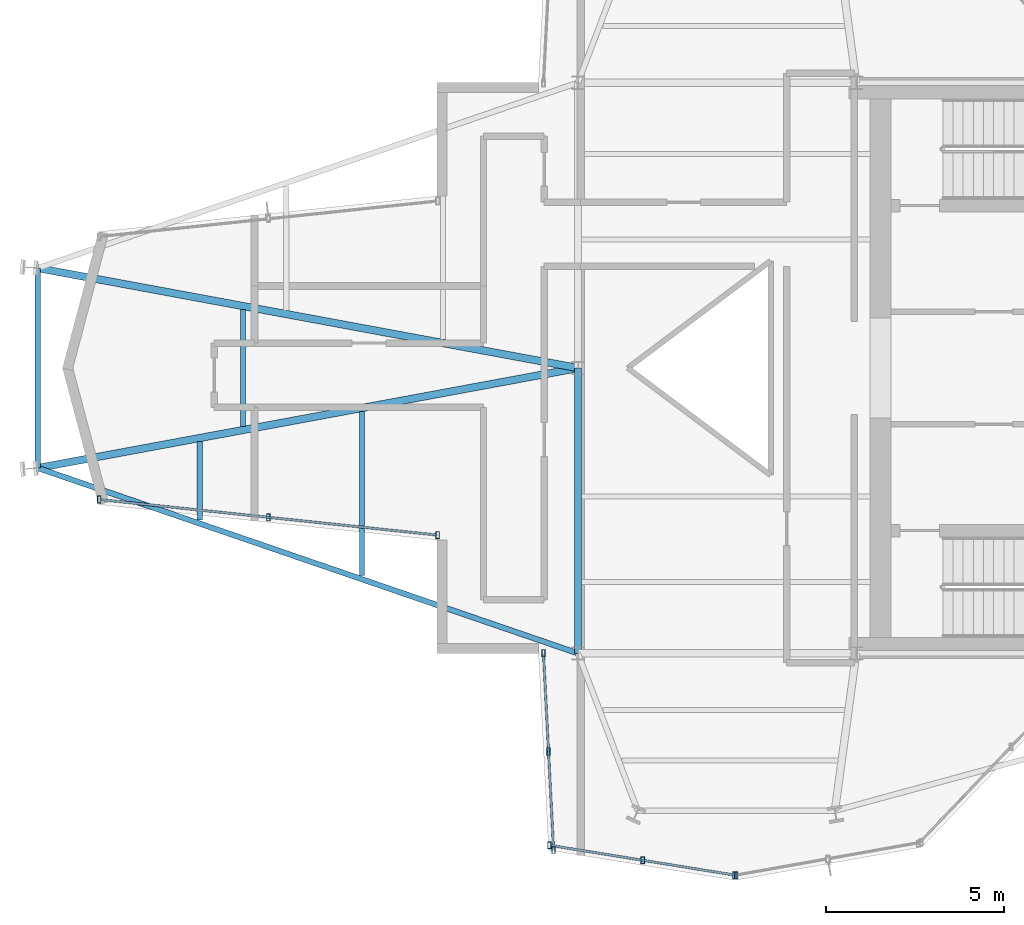
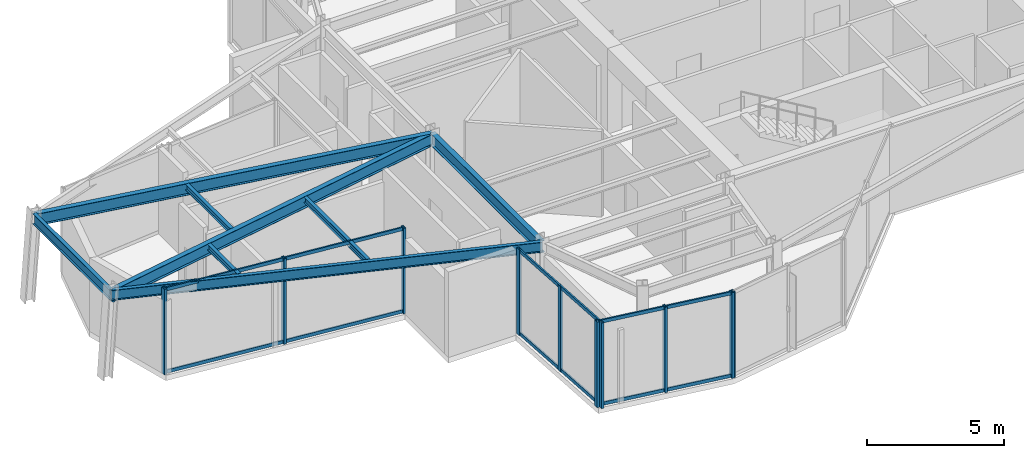
# One storey, part 2 of 14: 16 members, 8 beams, 4 elements without a shape of their own.
"""IFC4 building model written with IfcOpenShell, lengths in metres."""

from ifc_helpers import new_model, si_unit, direction, frame, origin, origin_2d, place, context, subcontext, project, spatial, hollow_rectangle, i_section, extrude, material, layer, layer_set, material_profile, profile_set, type_object, element, aggregate, save


model = new_model("IFC4")

# Units and contexts
model_context = context("Model", 3, precision=1e-05, world=origin(), true_north=direction((0.0, 1.0)))
body_context = subcontext(model_context, "Body", "Model", "MODEL_VIEW")
ifc_project = project(units=[si_unit("LENGTHUNIT", "METRE"), si_unit("AREAUNIT", "SQUARE_METRE"), si_unit("VOLUMEUNIT", "CUBIC_METRE"), si_unit("PLANEANGLEUNIT", "RADIAN"), si_unit("MASSUNIT", "GRAM", prefix="KILO")], contexts=[model_context])

# Site, building, storey
site_placement = place(None, origin())
site = spatial("IfcSite", under=ifc_project, at=site_placement, CompositionType="ELEMENT")
building_placement = place(site_placement, origin())
building = spatial("IfcBuilding", under=site, at=building_placement, Name="Veymaron Broadcast Tower", CompositionType="ELEMENT")
storey_placement = place(building_placement, frame((0.0, 0.0, 299.25)))
storey = spatial("IfcBuildingStorey", under=building, at=storey_placement, Name="L70", CompositionType="ELEMENT", Elevation=299.25)

# Beams
ifc_material_1 = material(Name="Structural steel ASTM A992 Gr 50", Category="steel")
ifc_material_profile_1 = material_profile(ifc_material_1, i_section(OverallWidth=0.208984375, OverallDepth=0.528076171875, WebThickness=0.009521484375, FlangeThickness=0.01318359375, at=origin_2d()), Name="W530X82")
ifc_profile_set_1 = profile_set([ifc_material_profile_1], Name="Structural steel ASTM A992 Gr 50")
beam_type_1 = type_object("IfcBeamType", Name="BM-FG4", PredefinedType="BEAM", material=ifc_profile_set_1)
beam_1_placement = place(storey_placement, frame((31.199951171875, 16.0, 3.5458984375), z_axis=(0.0, 1.0, 0.0), x_axis=(-1.0, 0.0, 0.0)))
element("IfcBeam", 1, at=beam_1_placement, inside=storey, type_object=beam_type_1, Name="L70 primary structural floor girder", PredefinedType="BEAM", context=body_context, shape_type="SweptSolid", body=[
    extrude(i_section(OverallWidth=0.208984375, OverallDepth=0.528076171875, WebThickness=0.009521484375, FlangeThickness=0.01318359375, at=origin_2d()), origin(), (0.0, 0.0, 1.0), 8.0),
])
for number, where, z_axis, x_axis, name in (
    (2, (16.052490234375, 21.197998046875, 3.5458984375), (0.98331782422, 0.181895729943, 0.0), (-0.181895729943, 0.98331782422, 0.0), "L70 primary structural floor girder"),
    (3, (16.052490234375, 26.802001953125, 3.5458984375), (0.98331782422, -0.181895729943, 0.0), (0.181895729943, 0.98331782422, 0.0), "L70 primary structural floor girder"),
):
    element("IfcBeam", number, at=place(storey_placement, frame(where, z_axis=z_axis, x_axis=x_axis)), inside=storey, type_object=beam_type_1, Name=name, PredefinedType="BEAM", context=body_context, shape_type="SweptSolid", body=[
        extrude(i_section(OverallWidth=0.208984375, OverallDepth=0.528076171875, WebThickness=0.009521484375, FlangeThickness=0.01318359375, at=origin_2d()), origin(), (0.0, 0.0, 1.0), 15.404541015625),
    ])
ifc_material_profile_2 = material_profile(ifc_material_1, i_section(OverallWidth=0.14599609375, OverallDepth=0.258056640625, WebThickness=0.006103515625, FlangeThickness=0.009033203125, at=origin_2d()), Name="W250X33")
ifc_profile_set_2 = profile_set([ifc_material_profile_2], Name="Structural steel ASTM A992 Gr 50")
beam_type_2 = type_object("IfcBeamType", Name="BM-JS4", PredefinedType="JOIST", material=ifc_profile_set_2)
beam_2_placement = place(storey_placement, frame((20.5966796875, 19.738525390625, 3.680908203125), z_axis=(0.0, 1.0, 0.0), x_axis=(-1.0, 0.0, 0.0)))
element("IfcBeam", 4, at=beam_2_placement, inside=storey, type_object=beam_type_2, Name="L70 Arm-A secondary joist 1S", PredefinedType="JOIST", context=body_context, shape_type="SweptSolid", body=[
    extrude(i_section(OverallWidth=0.14599609375, OverallDepth=0.258056640625, WebThickness=0.006103515625, FlangeThickness=0.009033203125, at=origin_2d()), origin(), (0.0, 0.0, 1.0), 2.2001953125),
])
beam_3_placement = place(storey_placement, frame((21.80859375, 22.36279296875, 3.680908203125), z_axis=(0.0, 1.0, 0.0), x_axis=(-1.0, 0.0, 0.0)))
element("IfcBeam", 5, at=beam_3_placement, inside=storey, type_object=beam_type_2, Name="L70 Arm-A secondary joist 1M", PredefinedType="JOIST", context=body_context, shape_type="SweptSolid", body=[
    extrude(i_section(OverallWidth=0.14599609375, OverallDepth=0.258056640625, WebThickness=0.006103515625, FlangeThickness=0.009033203125, at=origin_2d()), origin(), (0.0, 0.0, 1.0), 3.2744140625),
])
beam_4_placement = place(storey_placement, frame((25.14111328125, 18.17919921875, 3.680908203125), z_axis=(0.0, 1.0, 0.0), x_axis=(-1.0, 0.0, 0.0)))
element("IfcBeam", 6, at=beam_4_placement, inside=storey, type_object=beam_type_2, Name="L70 Arm-A secondary joist 2S", PredefinedType="JOIST", context=body_context, shape_type="SweptSolid", body=[
    extrude(i_section(OverallWidth=0.14599609375, OverallDepth=0.258056640625, WebThickness=0.006103515625, FlangeThickness=0.009033203125, at=origin_2d()), origin(), (0.0, 0.0, 1.0), 4.60009765625),
])
ifc_material_profile_3 = material_profile(ifc_material_1, i_section(OverallWidth=0.154052734375, OverallDepth=0.458984375, WebThickness=0.009033203125, FlangeThickness=0.015380859375, at=origin_2d()), Name="W460X68")
ifc_profile_set_3 = profile_set([ifc_material_profile_3], Name="Structural steel ASTM A992 Gr 50")
beam_type_3 = type_object("IfcBeamType", Name="BM-SP2", PredefinedType="SPANDREL", material=ifc_profile_set_3)
beam_5_placement = place(storey_placement, frame((16.052490234375, 21.197998046875, 3.58056640625), z_axis=(0.94585811637, -0.324580380949, 0.0), x_axis=(0.324580380949, 0.94585811637, 0.0)))
element("IfcBeam", 7, at=beam_5_placement, inside=storey, type_object=beam_type_3, Name="L70 primary structural floor girder", PredefinedType="SPANDREL", context=body_context, shape_type="SweptSolid", body=[
    extrude(i_section(OverallWidth=0.154052734375, OverallDepth=0.458984375, WebThickness=0.009033203125, FlangeThickness=0.015380859375, at=origin_2d()), origin(), (0.0, 0.0, 1.0), 16.014404296875),
])
beam_6_placement = place(storey_placement, frame((16.052490234375, 21.197998046875, 3.58056640625), z_axis=(0.0, 1.0, 0.0), x_axis=(-1.0, 0.0, 0.0)))
element("IfcBeam", 8, at=beam_6_placement, inside=storey, type_object=beam_type_3, Name="L70 primary structural floor girder", PredefinedType="SPANDREL", context=body_context, shape_type="SweptSolid", body=[
    extrude(i_section(OverallWidth=0.154052734375, OverallDepth=0.458984375, WebThickness=0.009033203125, FlangeThickness=0.015380859375, at=origin_2d()), origin(), (0.0, 0.0, 1.0), 5.60400390625),
])

# Curtain wall, members
ifc_material_2 = material(Name="Anodised aluminium AA 6063-T6 and laminated low-E dark glass", Category="aluminium")
ifc_layer = layer(ifc_material_2, 0.179931640625)
ifc_layer_set = layer_set([ifc_layer], Name="Anodised aluminium AA 6063-T6 and laminated low-E dark glass")
curtain_wall_type = type_object("IfcCurtainWallType", Name="CW-SYS-06", PredefinedType="NOTDEFINED", material=ifc_layer_set)
curtain_wall_1_placement = place(storey_placement, origin())
curtain_wall_1 = element("IfcCurtainWall", 9, at=curtain_wall_1_placement, inside=storey, type_object=curtain_wall_type, Name="L70 dark-glass curtain wall CW-L70-E14-1", PredefinedType="NOTDEFINED")
ifc_material_3 = material(Name="Anodised aluminium AA 6063-T6", Category="aluminium")
ifc_material_profile_4 = material_profile(ifc_material_3, hollow_rectangle(XDim=0.10009765625, YDim=0.199951171875, WallThickness=0.010009765625, at=origin_2d()), Name="RHS200X100X10")
ifc_profile_set_4 = profile_set([ifc_material_profile_4], Name="Anodised aluminium AA 6063-T6")
member_type_1 = type_object("IfcMemberType", Name="CW-MUL-01", PredefinedType="MULLION", material=ifc_profile_set_4)
member_1_placement = place(storey_placement, frame((17.774658203125, 20.31396484375, 0.0), z_axis=(0.0, 0.0, 1.0), x_axis=(1.0, 0.0, 0.0)))
member_1 = element("IfcMember", 10, at=member_1_placement, type_object=member_type_1, Name="CW-L70-E14-1 mullion 0", PredefinedType="MULLION", context=body_context, shape_type="SweptSolid", body=[
    extrude(hollow_rectangle(XDim=0.10009765625, YDim=0.199951171875, WallThickness=0.010009765625, at=origin_2d()), origin(), (0.0, 0.0, 1.0), 3.81005859375),
])
member_2_placement = place(storey_placement, frame((22.519287109375, 19.81494140625, 0.0), z_axis=(0.0, 0.0, 1.0), x_axis=(1.0, 0.0, 0.0)))
member_2 = element("IfcMember", 11, at=member_2_placement, type_object=member_type_1, Name="CW-L70-E14-1 mullion 1", PredefinedType="MULLION", context=body_context, shape_type="SweptSolid", body=[
    extrude(hollow_rectangle(XDim=0.10009765625, YDim=0.199951171875, WallThickness=0.010009765625, at=origin_2d()), origin(), (0.0, 0.0, 1.0), 3.81005859375),
])
member_3_placement = place(storey_placement, frame((27.26416015625, 19.316162109375, 0.0), z_axis=(0.0, 0.0, 1.0), x_axis=(1.0, 0.0, 0.0)))
member_3 = element("IfcMember", 12, at=member_3_placement, type_object=member_type_1, Name="CW-L70-E14-1 mullion 2", PredefinedType="MULLION", context=body_context, shape_type="SweptSolid", body=[
    extrude(hollow_rectangle(XDim=0.10009765625, YDim=0.199951171875, WallThickness=0.010009765625, at=origin_2d()), origin(), (0.0, 0.0, 1.0), 3.81005859375),
])

curtain_wall_2_placement = place(storey_placement, origin())
curtain_wall_2 = element("IfcCurtainWall", 13, at=curtain_wall_2_placement, inside=storey, type_object=curtain_wall_type, Name="L70 dark-glass curtain wall CW-L70-E17-1", PredefinedType="NOTDEFINED")
member_4_placement = place(storey_placement, frame((30.23046875, 16.007080078125, 0.0), z_axis=(0.0, 0.0, 1.0), x_axis=(1.0, 0.0, 0.0)))
member_4 = element("IfcMember", 14, at=member_4_placement, type_object=member_type_1, Name="CW-L70-E17-1 mullion 0", PredefinedType="MULLION", context=body_context, shape_type="SweptSolid", body=[
    extrude(hollow_rectangle(XDim=0.10009765625, YDim=0.199951171875, WallThickness=0.010009765625, at=origin_2d()), origin(), (0.0, 0.0, 1.0), 3.81005859375),
])
member_5_placement = place(storey_placement, frame((30.372314453125, 13.24853515625, 0.0), z_axis=(0.0, 0.0, 1.0), x_axis=(1.0, 0.0, 0.0)))
member_5 = element("IfcMember", 15, at=member_5_placement, type_object=member_type_1, Name="CW-L70-E17-1 mullion 1", PredefinedType="MULLION", context=body_context, shape_type="SweptSolid", body=[
    extrude(hollow_rectangle(XDim=0.10009765625, YDim=0.199951171875, WallThickness=0.010009765625, at=origin_2d()), origin(), (0.0, 0.0, 1.0), 3.81005859375),
])
member_6_placement = place(storey_placement, frame((30.514404296875, 10.489990234375, 0.0), z_axis=(0.0, 0.0, 1.0), x_axis=(1.0, 0.0, 0.0)))
member_6 = element("IfcMember", 16, at=member_6_placement, type_object=member_type_1, Name="CW-L70-E17-1 mullion 2", PredefinedType="MULLION", context=body_context, shape_type="SweptSolid", body=[
    extrude(hollow_rectangle(XDim=0.10009765625, YDim=0.199951171875, WallThickness=0.010009765625, at=origin_2d()), origin(), (0.0, 0.0, 1.0), 3.81005859375),
])

curtain_wall_3_placement = place(storey_placement, origin())
curtain_wall_3 = element("IfcCurtainWall", 17, at=curtain_wall_3_placement, inside=storey, type_object=curtain_wall_type, Name="L70 dark-glass curtain wall CW-L70-E18-1", PredefinedType="NOTDEFINED")
member_7_placement = place(storey_placement, frame((30.396728515625, 10.62109375, 0.0), z_axis=(0.0, 0.0, 1.0), x_axis=(1.0, 0.0, 0.0)))
member_7 = element("IfcMember", 18, at=member_7_placement, type_object=member_type_1, Name="CW-L70-E18-1 mullion 0", PredefinedType="MULLION", context=body_context, shape_type="SweptSolid", body=[
    extrude(hollow_rectangle(XDim=0.10009765625, YDim=0.199951171875, WallThickness=0.010009765625, at=origin_2d()), origin(), (0.0, 0.0, 1.0), 3.81005859375),
])
member_8_placement = place(storey_placement, frame((33.01416015625, 10.198974609375, 0.0), z_axis=(0.0, 0.0, 1.0), x_axis=(1.0, 0.0, 0.0)))
member_8 = element("IfcMember", 19, at=member_8_placement, type_object=member_type_1, Name="CW-L70-E18-1 mullion 1", PredefinedType="MULLION", context=body_context, shape_type="SweptSolid", body=[
    extrude(hollow_rectangle(XDim=0.10009765625, YDim=0.199951171875, WallThickness=0.010009765625, at=origin_2d()), origin(), (0.0, 0.0, 1.0), 3.81005859375),
])
member_9_placement = place(storey_placement, frame((35.631591796875, 9.777099609375, 0.0), z_axis=(0.0, 0.0, 1.0), x_axis=(1.0, 0.0, 0.0)))
member_9 = element("IfcMember", 20, at=member_9_placement, type_object=member_type_1, Name="CW-L70-E18-1 mullion 2", PredefinedType="MULLION", context=body_context, shape_type="SweptSolid", body=[
    extrude(hollow_rectangle(XDim=0.10009765625, YDim=0.199951171875, WallThickness=0.010009765625, at=origin_2d()), origin(), (0.0, 0.0, 1.0), 3.81005859375),
])

# Curtain wall, member
curtain_wall_4_placement = place(storey_placement, origin())
curtain_wall_4 = element("IfcCurtainWall", 21, at=curtain_wall_4_placement, inside=storey, type_object=curtain_wall_type, Name="L70 dark-glass curtain wall CW-L70-E19-1", PredefinedType="NOTDEFINED")
member_10_placement = place(storey_placement, frame((35.584716796875, 9.776611328125, 0.0), z_axis=(0.0, 0.0, 1.0), x_axis=(1.0, 0.0, 0.0)))
member_10 = element("IfcMember", 22, at=member_10_placement, type_object=member_type_1, Name="CW-L70-E19-1 mullion 0", PredefinedType="MULLION", context=body_context, shape_type="SweptSolid", body=[
    extrude(hollow_rectangle(XDim=0.10009765625, YDim=0.199951171875, WallThickness=0.010009765625, at=origin_2d()), origin(), (0.0, 0.0, 1.0), 3.81005859375),
])
aggregate(curtain_wall_4, [member_10])

# Member
ifc_material_profile_5 = material_profile(ifc_material_3, hollow_rectangle(XDim=0.06494140625, YDim=0.14990234375, WallThickness=0.00390625, at=origin_2d()), Name="AL150X65X4")
ifc_profile_set_5 = profile_set([ifc_material_profile_5], Name="Anodised aluminium AA 6063-T6")
member_type_2 = type_object("IfcMemberType", Name="CW-TRN-01", PredefinedType="USERDEFINED", material=ifc_profile_set_5)
member_11_placement = place(storey_placement, frame((17.82421875, 20.30859375, 0.070068359375), z_axis=(0.99451819669, -0.104563647854, 0.0), x_axis=(0.104563647854, 0.99451819669, 0.0)))
member_11 = element("IfcMember", 23, at=member_11_placement, type_object=member_type_2, Name="CW-L70-E14-1 transom B", ObjectType="TRANSOM", PredefinedType="USERDEFINED", context=body_context, shape_type="SweptSolid", body=[
    extrude(hollow_rectangle(XDim=0.06494140625, YDim=0.14990234375, WallThickness=0.00390625, at=origin_2d()), origin(), (0.0, 0.0, 1.0), 9.442138671875),
])

member_12_placement = place(storey_placement, frame((17.82421875, 20.30859375, 3.739990234375), z_axis=(0.99451819669, -0.104563647854, 0.0), x_axis=(0.104563647854, 0.99451819669, 0.0)))
member_12 = element("IfcMember", 24, at=member_12_placement, type_object=member_type_2, Name="CW-L70-E14-1 transom T", ObjectType="TRANSOM", PredefinedType="USERDEFINED", context=body_context, shape_type="SweptSolid", body=[
    extrude(hollow_rectangle(XDim=0.06494140625, YDim=0.14990234375, WallThickness=0.00390625, at=origin_2d()), origin(), (0.0, 0.0, 1.0), 9.442138671875),
])

aggregate(curtain_wall_1, [member_1, member_2, member_3, member_11, member_12])

member_13_placement = place(storey_placement, frame((30.233154296875, 15.957275390625, 0.070068359375), z_axis=(0.051351716948, -0.998680630215, 0.0), x_axis=(0.998680630215, 0.051351716948, 0.0)))
member_13 = element("IfcMember", 25, at=member_13_placement, type_object=member_type_2, Name="CW-L70-E17-1 transom B", ObjectType="TRANSOM", PredefinedType="USERDEFINED", context=body_context, shape_type="SweptSolid", body=[
    extrude(hollow_rectangle(XDim=0.06494140625, YDim=0.14990234375, WallThickness=0.00390625, at=origin_2d()), origin(), (0.0, 0.0, 1.0), 5.424560546875),
])

member_14_placement = place(storey_placement, frame((30.233154296875, 15.957275390625, 3.739990234375), z_axis=(0.051351716948, -0.998680630215, 0.0), x_axis=(0.998680630215, 0.051351716948, 0.0)))
member_14 = element("IfcMember", 26, at=member_14_placement, type_object=member_type_2, Name="CW-L70-E17-1 transom T", ObjectType="TRANSOM", PredefinedType="USERDEFINED", context=body_context, shape_type="SweptSolid", body=[
    extrude(hollow_rectangle(XDim=0.06494140625, YDim=0.14990234375, WallThickness=0.00390625, at=origin_2d()), origin(), (0.0, 0.0, 1.0), 5.424560546875),
])

aggregate(curtain_wall_2, [member_4, member_5, member_6, member_13, member_14])

member_15_placement = place(storey_placement, frame((30.4462890625, 10.613037109375, 0.070068359375), z_axis=(0.987247783528, -0.15919112387, 0.0), x_axis=(0.15919112387, 0.987247783528, 0.0)))
member_15 = element("IfcMember", 27, at=member_15_placement, type_object=member_type_2, Name="CW-L70-E18-1 transom B", ObjectType="TRANSOM", PredefinedType="USERDEFINED", context=body_context, shape_type="SweptSolid", body=[
    extrude(hollow_rectangle(XDim=0.06494140625, YDim=0.14990234375, WallThickness=0.00390625, at=origin_2d()), origin(), (0.0, 0.0, 1.0), 5.2021484375),
])

member_16_placement = place(storey_placement, frame((30.4462890625, 10.613037109375, 3.739990234375), z_axis=(0.987247783528, -0.15919112387, 0.0), x_axis=(0.15919112387, 0.987247783528, 0.0)))
member_16 = element("IfcMember", 28, at=member_16_placement, type_object=member_type_2, Name="CW-L70-E18-1 transom T", ObjectType="TRANSOM", PredefinedType="USERDEFINED", context=body_context, shape_type="SweptSolid", body=[
    extrude(hollow_rectangle(XDim=0.06494140625, YDim=0.14990234375, WallThickness=0.00390625, at=origin_2d()), origin(), (0.0, 0.0, 1.0), 5.2021484375),
])

aggregate(curtain_wall_3, [member_7, member_8, member_9, member_15, member_16])

save(model, "model.ifc")
